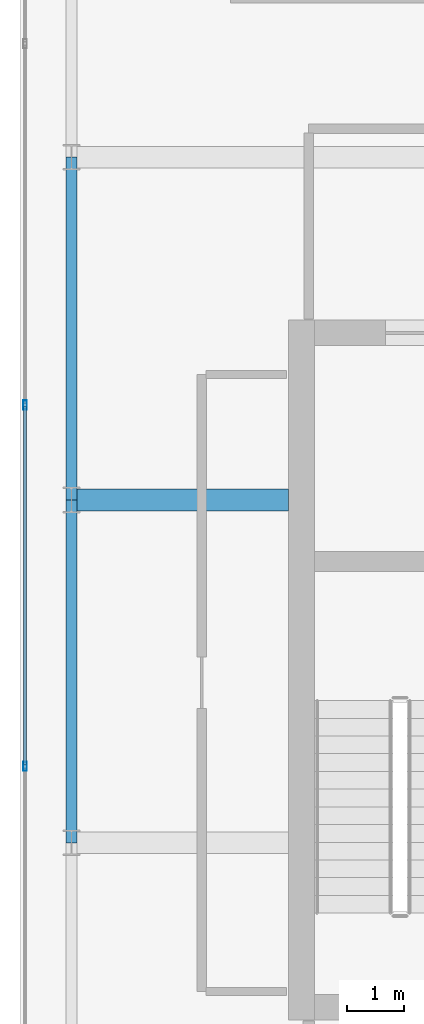
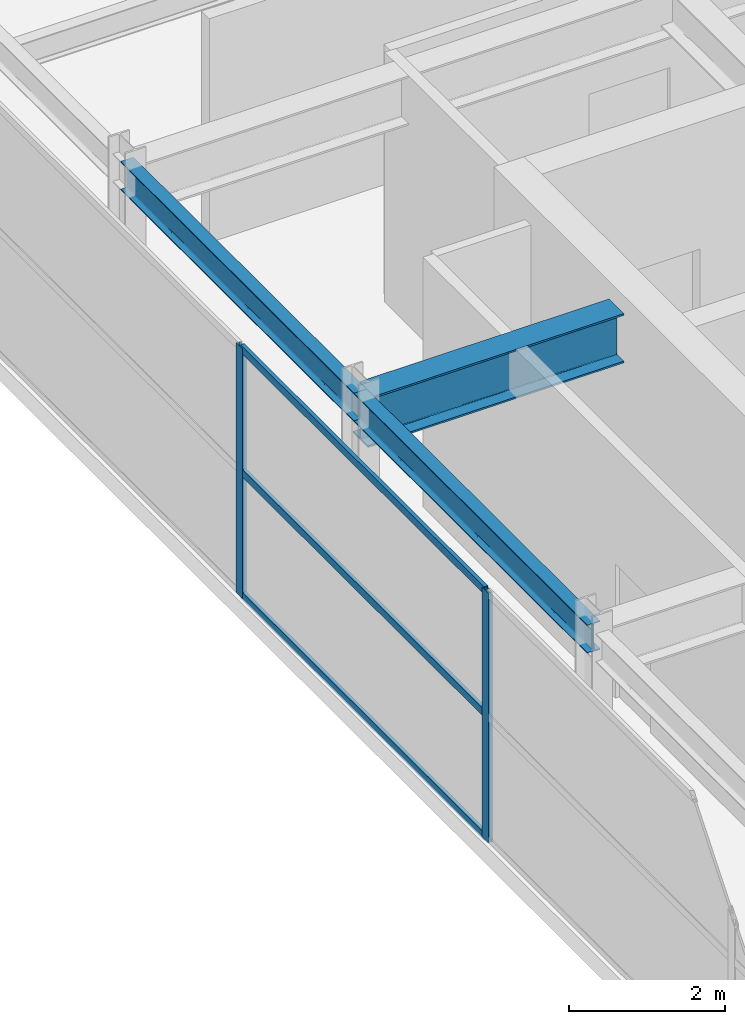
# One storey, part 11 of 32: 5 members, 3 beams, 1 element without a shape of its own.
"""IFC4 building model written with IfcOpenShell, lengths in metres."""

from ifc_helpers import new_model, si_unit, direction, frame, origin, origin_2d, place, context, subcontext, project, spatial, hollow_rectangle, i_section, extrude, source, transform, mapped, material, layer, layer_set, material_profile, profile_set, type_object, element, aggregate, save


model = new_model("IFC4")

# Units and contexts
model_context = context("Model", 3, precision=1e-05, world=origin(), true_north=direction((0.0, 1.0)))
body_context = subcontext(model_context, "Body", "Model", "MODEL_VIEW")
ifc_project = project(units=[si_unit("LENGTHUNIT", "METRE"), si_unit("AREAUNIT", "SQUARE_METRE"), si_unit("VOLUMEUNIT", "CUBIC_METRE"), si_unit("PLANEANGLEUNIT", "RADIAN"), si_unit("MASSUNIT", "GRAM", prefix="KILO")], contexts=[model_context])

# Site, building, storey
site_placement = place(None, origin())
site = spatial("IfcSite", under=ifc_project, at=site_placement, CompositionType="ELEMENT")
building_placement = place(site_placement, origin())
building = spatial("IfcBuilding", under=site, at=building_placement, Name="Khoralis Quay Care Tower", CompositionType="ELEMENT")
storey_placement = place(building_placement, frame((0.0, 0.0, 306.300048828125)))
storey = spatial("IfcBuildingStorey", under=building, at=storey_placement, Name="L80", CompositionType="ELEMENT", Elevation=306.300048828125)

# Beams
ifc_material_1 = material(Name="Steel S355", Category="steel")
ifc_material_profile_1 = material_profile(ifc_material_1, i_section(OverallWidth=0.18994140625, OverallDepth=0.449951171875, WebThickness=0.009521484375, FlangeThickness=0.0146484375, FilletRadius=0.02099609375, at=origin_2d()), Name="Steel S355")
ifc_profile_set_1 = profile_set([ifc_material_profile_1], Name="Steel S355")
beam_type_1 = type_object("IfcBeamType", Name="BM-IPE450", PredefinedType="SPANDREL", material=ifc_profile_set_1)
shared_shape_1 = source(origin(), body_context, "Body", "SweptSolid", [
    extrude(i_section(OverallWidth=0.18994140625, OverallDepth=0.449951171875, WebThickness=0.009521484375, FlangeThickness=0.0146484375, FilletRadius=0.02099609375, at=origin_2d()), origin(), (0.0, 0.0, 1.0), 6.0),
])
for number, where, z_axis, x_axis, name in (
    (1, (3.89990234375, 18.0, 3.695068359375), (0.0, 1.0, 0.0), (-1.0, 0.0, 0.0), "BM-TSP-L80-10"),
    (2, (3.89990234375, 24.0, 3.695068359375), (0.0, 1.0, 0.0), (-1.0, 0.0, 0.0), "BM-TSP-L80-11"),
):
    element("IfcBeam", number, at=place(storey_placement, frame(where, z_axis=z_axis, x_axis=x_axis)), inside=storey, type_object=beam_type_1, Name=name, PredefinedType="SPANDREL", context=body_context, shape_type="MappedRepresentation", body=[
        mapped(shared_shape_1, transform((0.0, 0.0, 0.0), scale=1.0)),
    ])
ifc_material_profile_2 = material_profile(ifc_material_1, i_section(OverallWidth=0.381103515625, OverallDepth=0.77294921875, WebThickness=0.0166015625, FlangeThickness=0.027587890625, FilletRadius=0.02197265625, at=origin_2d()), Name="Steel S355")
ifc_profile_set_2 = profile_set([ifc_material_profile_2], Name="Steel S355")
beam_type_2 = type_object("IfcBeamType", Name="BM-W760X257", PredefinedType="BEAM", material=ifc_profile_set_2)
shared_shape_2 = source(origin(), body_context, "Body", "SweptSolid", [
    extrude(i_section(OverallWidth=0.381103515625, OverallDepth=0.77294921875, WebThickness=0.0166015625, FlangeThickness=0.027587890625, FilletRadius=0.02197265625, at=origin_2d()), origin(), (0.0, 0.0, 1.0), 3.802001953125),
])
beam_placement = place(storey_placement, frame((3.89990234375, 24.0, 3.533447265625), z_axis=(1.0, 0.0, 0.0), x_axis=(0.0, 1.0, 0.0)))
element("IfcBeam", 3, at=beam_placement, inside=storey, type_object=beam_type_2, Name="BM-TGXW-L80-240", PredefinedType="BEAM", context=body_context, shape_type="MappedRepresentation", body=[
    mapped(shared_shape_2, transform((0.0, 0.0, 0.0), scale=1.0)),
])

# Curtain wall, members
ifc_material_2 = material(Name="Pale anodised aluminium", Category="aluminium")
ifc_layer = layer(ifc_material_2, 0.199951171875)
ifc_layer_set = layer_set([ifc_layer], Name="Pale anodised aluminium")
curtain_wall_type = type_object("IfcCurtainWallType", Name="CW-SYS-LANTERN", PredefinedType="NOTDEFINED", material=ifc_layer_set)
curtain_wall_placement = place(storey_placement, origin())
curtain_wall = element("IfcCurtainWall", 4, at=curtain_wall_placement, inside=storey, type_object=curtain_wall_type, Name="L80 Unitised Curtain Wall CW-LN-L80-16", PredefinedType="NOTDEFINED")
ifc_material_profile_3 = material_profile(ifc_material_2, hollow_rectangle(XDim=0.054931640625, YDim=0.1201171875, WallThickness=0.00390625, at=origin_2d()), Name="Pale anodised aluminium")
ifc_profile_set_3 = profile_set([ifc_material_profile_3], Name="Pale anodised aluminium")
member_type_1 = type_object("IfcMemberType", Name="CW-TRN-120", PredefinedType="USERDEFINED", material=ifc_profile_set_3)
shared_shape_3 = source(origin(), body_context, "Body", "SweptSolid", [
    extrude(hollow_rectangle(XDim=0.054931640625, YDim=0.1201171875, WallThickness=0.00390625, at=origin_2d()), origin(), (0.0, 0.0, 1.0), 6.26416015625),
])
member_1_placement = place(storey_placement, frame((3.090087890625, 25.632080078125, 0.030029296875), z_axis=(0.0, -1.0, 0.0), x_axis=(1.0, 0.0, 0.0)))
member_1 = element("IfcMember", 5, at=member_1_placement, type_object=member_type_1, Name="CW5 transom 3.1", ObjectType="TRANSOM", PredefinedType="USERDEFINED", context=body_context, shape_type="MappedRepresentation", body=[
    mapped(shared_shape_3, transform((0.0, 0.0, 0.0), scale=1.0)),
])
member_2_placement = place(storey_placement, frame((3.090087890625, 25.632080078125, 1.9599609375), z_axis=(0.0, -1.0, 0.0), x_axis=(1.0, 0.0, 0.0)))
member_2 = element("IfcMember", 6, at=member_2_placement, type_object=member_type_1, Name="CW5 transom 3.2", ObjectType="TRANSOM", PredefinedType="USERDEFINED", context=body_context, shape_type="MappedRepresentation", body=[
    mapped(shared_shape_3, transform((0.0, 0.0, 0.0), scale=1.0)),
])
member_3_placement = place(storey_placement, frame((3.090087890625, 25.632080078125, 3.889892578125), z_axis=(0.0, -1.0, 0.0), x_axis=(1.0, 0.0, 0.0)))
member_3 = element("IfcMember", 7, at=member_3_placement, type_object=member_type_1, Name="CW5 transom 3.3", ObjectType="TRANSOM", PredefinedType="USERDEFINED", context=body_context, shape_type="MappedRepresentation", body=[
    mapped(shared_shape_3, transform((0.0, 0.0, 0.0), scale=1.0)),
])
ifc_material_profile_4 = material_profile(ifc_material_2, hollow_rectangle(XDim=0.06005859375, YDim=0.159912109375, WallThickness=0.00390625, at=origin_2d()), Name="Pale anodised aluminium")
ifc_profile_set_4 = profile_set([ifc_material_profile_4], Name="Pale anodised aluminium")
member_type_2 = type_object("IfcMemberType", Name="CW-MUL-160", PredefinedType="MULLION", material=ifc_profile_set_4)
shared_shape_4 = source(origin(), body_context, "Body", "SweptSolid", [
    extrude(hollow_rectangle(XDim=0.06005859375, YDim=0.159912109375, WallThickness=0.00390625, at=origin_2d()), origin(), (0.0, 0.0, 1.0), 3.919921875),
])
member_4_placement = place(storey_placement, frame((3.090087890625, 25.662109375, 0.0), z_axis=(0.0, 0.0, 1.0), x_axis=(1.0, 0.0, 0.0)))
member_4 = element("IfcMember", 8, at=member_4_placement, type_object=member_type_2, Name="CW5 mullion 3", PredefinedType="MULLION", context=body_context, shape_type="MappedRepresentation", body=[
    mapped(shared_shape_4, transform((0.0, 0.0, 0.0), scale=1.0)),
])
member_5_placement = place(storey_placement, frame((3.090087890625, 19.337890625, 0.0), z_axis=(0.0, 0.0, 1.0), x_axis=(1.0, 0.0, 0.0)))
member_5 = element("IfcMember", 9, at=member_5_placement, type_object=member_type_2, Name="CW5 mullion 4", PredefinedType="MULLION", context=body_context, shape_type="MappedRepresentation", body=[
    mapped(shared_shape_4, transform((0.0, 0.0, 0.0), scale=1.0)),
])
aggregate(curtain_wall, [member_4, member_5, member_1, member_2, member_3])

save(model, "model.ifc")
